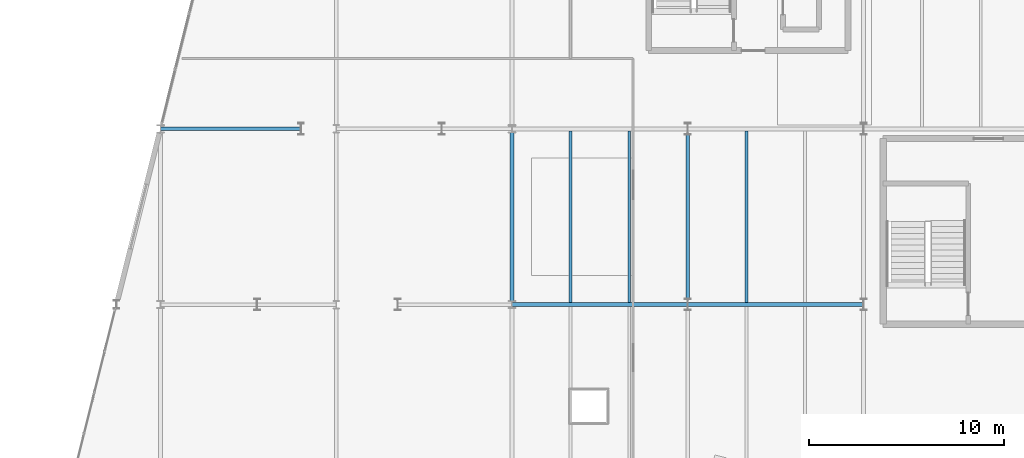
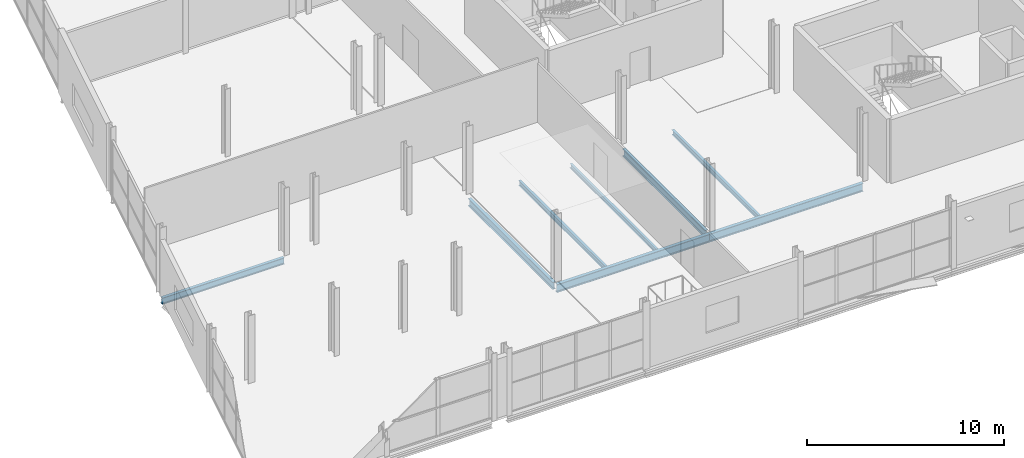
# One storey, part 40 of 88: 8 beams.
"""IFC4 building model written with IfcOpenShell, lengths in metres."""

from ifc_helpers import new_model, si_unit, direction, frame, origin, origin_2d, place, context, subcontext, project, spatial, i_section, extrude, material, material_profile, profile_set, type_object, element, save


model = new_model("IFC4")

# Units and contexts
model_context = context("Model", 3, precision=1e-05, world=origin(), true_north=direction((0.0, 1.0)))
body_context = subcontext(model_context, "Body", "Model", "MODEL_VIEW")
ifc_project = project(units=[si_unit("LENGTHUNIT", "METRE"), si_unit("AREAUNIT", "SQUARE_METRE"), si_unit("VOLUMEUNIT", "CUBIC_METRE"), si_unit("PLANEANGLEUNIT", "RADIAN"), si_unit("MASSUNIT", "GRAM", prefix="KILO")], contexts=[model_context])

# Site, building, storey
site_placement = place(None, origin())
site = spatial("IfcSite", under=ifc_project, at=site_placement, CompositionType="ELEMENT")
building_placement = place(site_placement, origin())
building = spatial("IfcBuilding", under=site, at=building_placement, Name="Deido Ridge Mobility Hub", CompositionType="ELEMENT")
storey_placement = place(building_placement, frame((0.0, 0.0, 16.800048828125)))
storey = spatial("IfcBuildingStorey", under=building, at=storey_placement, Name="L04", CompositionType="ELEMENT", Elevation=16.800048828125)

# Beams
ifc_material = material(Name="Steel S355J2 EN 10025-2", Category="steel")
ifc_material_profile_1 = material_profile(ifc_material, i_section(OverallWidth=0.179931640625, OverallDepth=0.39990234375, WebThickness=0.008544921875, FlangeThickness=0.013427734375, FilletRadius=0.02099609375, at=origin_2d()), Name="IPE 400")
ifc_profile_set_1 = profile_set([ifc_material_profile_1], Name="Steel S355J2 EN 10025-2")
beam_type_1 = type_object("IfcBeamType", Name="BM-IPE400", PredefinedType="BEAM", material=ifc_profile_set_1)
beam_1_placement = place(storey_placement, frame((126.0087890625, 18.0, -0.47509765625), z_axis=(1.0, 0.0, 0.0), x_axis=(0.0, 1.0, 0.0)))
element("IfcBeam", 1, at=beam_1_placement, inside=storey, type_object=beam_type_1, Name="Floor beam B5", PredefinedType="BEAM", context=body_context, shape_type="SweptSolid", body=[
    extrude(i_section(OverallWidth=0.179931640625, OverallDepth=0.39990234375, WebThickness=0.008544921875, FlangeThickness=0.013427734375, FilletRadius=0.02099609375, at=origin_2d()), origin(), (0.0, 0.0, 1.0), 7.18359375),
])
ifc_material_profile_2 = material_profile(ifc_material, i_section(OverallWidth=0.18994140625, OverallDepth=0.449951171875, WebThickness=0.009521484375, FlangeThickness=0.0146484375, FilletRadius=0.02099609375, at=origin_2d()), Name="IPE 450")
ifc_profile_set_2 = profile_set([ifc_material_profile_2], Name="Steel S355J2 EN 10025-2")
beam_type_2 = type_object("IfcBeamType", Name="BM-IPE450", PredefinedType="BEAM", material=ifc_profile_set_2)
beam_2_placement = place(storey_placement, frame((144.0, 9.196533203125, -0.5), z_axis=(0.0, 1.0, 0.0), x_axis=(-1.0, 0.0, 0.0)))
element("IfcBeam", 2, at=beam_2_placement, inside=storey, type_object=beam_type_2, Name="Floor beam B4", PredefinedType="BEAM", context=body_context, shape_type="SweptSolid", body=[
    extrude(i_section(OverallWidth=0.18994140625, OverallDepth=0.449951171875, WebThickness=0.009521484375, FlangeThickness=0.0146484375, FilletRadius=0.02099609375, at=origin_2d()), origin(), (0.0, 0.0, 1.0), 8.60693359375),
])
beam_3_placement = place(storey_placement, frame((153.0, 9.300048828125, -0.5), z_axis=(0.0, 1.0, 0.0), x_axis=(-1.0, 0.0, 0.0)))
element("IfcBeam", 3, at=beam_3_placement, inside=storey, type_object=beam_type_2, Name="Floor beam B4", PredefinedType="BEAM", context=body_context, shape_type="SweptSolid", body=[
    extrude(i_section(OverallWidth=0.18994140625, OverallDepth=0.449951171875, WebThickness=0.009521484375, FlangeThickness=0.0146484375, FilletRadius=0.02099609375, at=origin_2d()), origin(), (0.0, 0.0, 1.0), 8.39990234375),
])
ifc_material_profile_3 = material_profile(ifc_material, i_section(OverallWidth=0.199951171875, OverallDepth=0.5, WebThickness=0.01025390625, FlangeThickness=0.01611328125, FilletRadius=0.02099609375, at=origin_2d()), Name="IPE 500")
ifc_profile_set_3 = profile_set([ifc_material_profile_3], Name="Steel S355J2 EN 10025-2")
beam_type_3 = type_object("IfcBeamType", Name="BM-IPE500", PredefinedType="BEAM", material=ifc_profile_set_3)
beam_4_placement = place(storey_placement, frame((144.0087890625, 9.0, -0.525146484375), z_axis=(1.0, 0.0, 0.0), x_axis=(0.0, 1.0, 0.0)))
element("IfcBeam", 4, at=beam_4_placement, inside=storey, type_object=beam_type_3, Name="Floor beam B3", PredefinedType="BEAM", context=body_context, shape_type="SweptSolid", body=[
    extrude(i_section(OverallWidth=0.199951171875, OverallDepth=0.5, WebThickness=0.01025390625, FlangeThickness=0.01611328125, FilletRadius=0.02099609375, at=origin_2d()), origin(), (0.0, 0.0, 1.0), 8.9833984375),
])
beam_5_placement = place(storey_placement, frame((153.0078125, 9.0, -0.525146484375), z_axis=(1.0, 0.0, 0.0), x_axis=(0.0, 1.0, 0.0)))
element("IfcBeam", 5, at=beam_5_placement, inside=storey, type_object=beam_type_3, Name="Floor beam B3", PredefinedType="BEAM", context=body_context, shape_type="SweptSolid", body=[
    extrude(i_section(OverallWidth=0.199951171875, OverallDepth=0.5, WebThickness=0.01025390625, FlangeThickness=0.01611328125, FilletRadius=0.02099609375, at=origin_2d()), origin(), (0.0, 0.0, 1.0), 8.984375),
])
ifc_material_profile_4 = material_profile(ifc_material, i_section(OverallWidth=0.135009765625, OverallDepth=0.27001953125, WebThickness=0.006591796875, FlangeThickness=0.01025390625, FilletRadius=0.014892578125, at=origin_2d()), Name="IPE 270")
ifc_profile_set_4 = profile_set([ifc_material_profile_4], Name="Steel S355J2 EN 10025-2")
beam_type_4 = type_object("IfcBeamType", Name="JST-IPE270", PredefinedType="JOIST", material=ifc_profile_set_4)
beam_6_placement = place(storey_placement, frame((150.0, 9.10009765625, -0.41015625), z_axis=(0.0, 1.0, 0.0), x_axis=(-1.0, 0.0, 0.0)))
element("IfcBeam", 6, at=beam_6_placement, inside=storey, type_object=beam_type_4, Name="Composite joist J4", PredefinedType="JOIST", context=body_context, shape_type="SweptSolid", body=[
    extrude(i_section(OverallWidth=0.135009765625, OverallDepth=0.27001953125, WebThickness=0.006591796875, FlangeThickness=0.01025390625, FilletRadius=0.014892578125, at=origin_2d()), origin(), (0.0, 0.0, 1.0), 8.7998046875),
])
ifc_material_profile_5 = material_profile(ifc_material, i_section(OverallWidth=0.14990234375, OverallDepth=0.300048828125, WebThickness=0.007080078125, FlangeThickness=0.0107421875, FilletRadius=0.014892578125, at=origin_2d()), Name="IPE 300")
ifc_profile_set_5 = profile_set([ifc_material_profile_5], Name="Steel S355J2 EN 10025-2")
beam_type_5 = type_object("IfcBeamType", Name="JST-IPE300", PredefinedType="JOIST", material=ifc_profile_set_5)
for number, where, z_axis, x_axis, name in (
    (7, (147.0, 9.10009765625, -0.425048828125), (0.0, 1.0, 0.0), (-1.0, 0.0, 0.0), "Composite joist J3"),
    (8, (156.0, 9.10009765625, -0.425048828125), (0.0, 1.0, 0.0), (-1.0, 0.0, 0.0), "Composite joist J3"),
):
    element("IfcBeam", number, at=place(storey_placement, frame(where, z_axis=z_axis, x_axis=x_axis)), inside=storey, type_object=beam_type_5, Name=name, PredefinedType="JOIST", context=body_context, shape_type="SweptSolid", body=[
        extrude(i_section(OverallWidth=0.14990234375, OverallDepth=0.300048828125, WebThickness=0.007080078125, FlangeThickness=0.0107421875, FilletRadius=0.014892578125, at=origin_2d()), origin(), (0.0, 0.0, 1.0), 8.7998046875),
    ])

save(model, "model.ifc")
